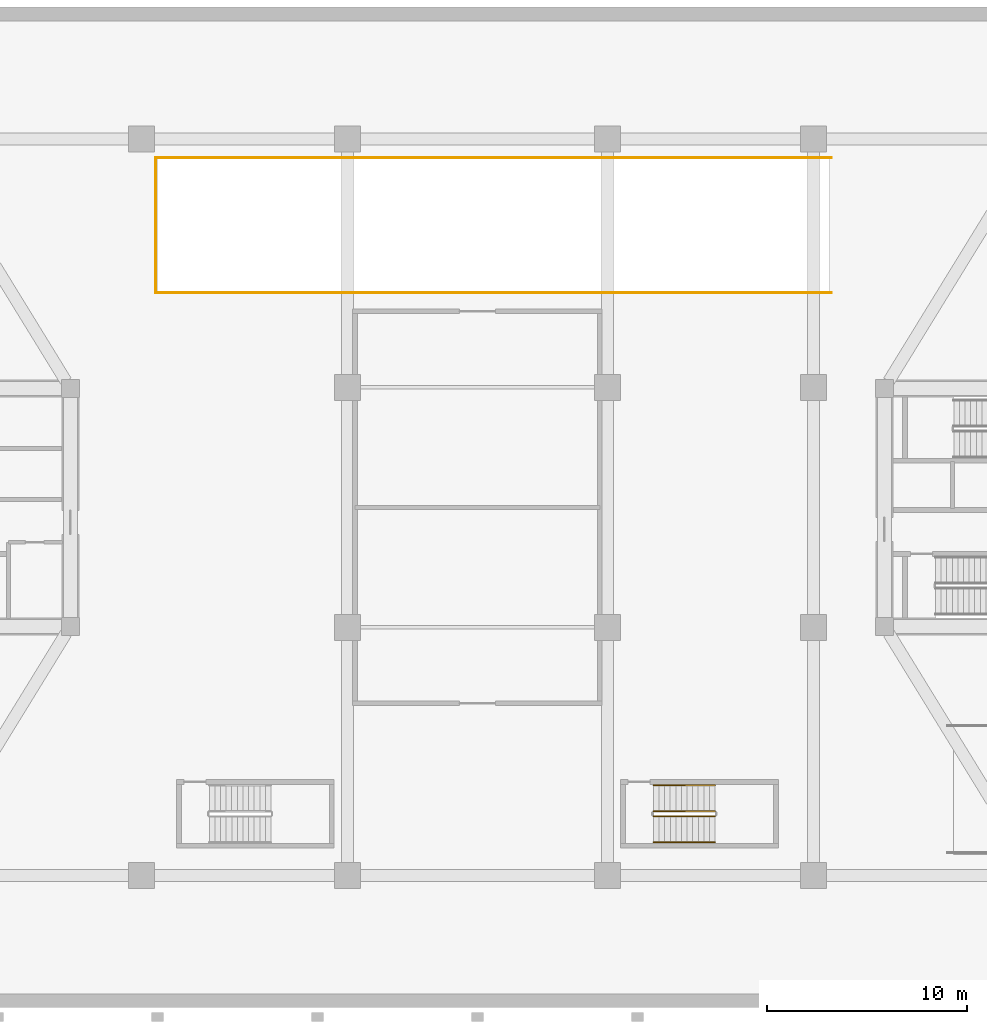
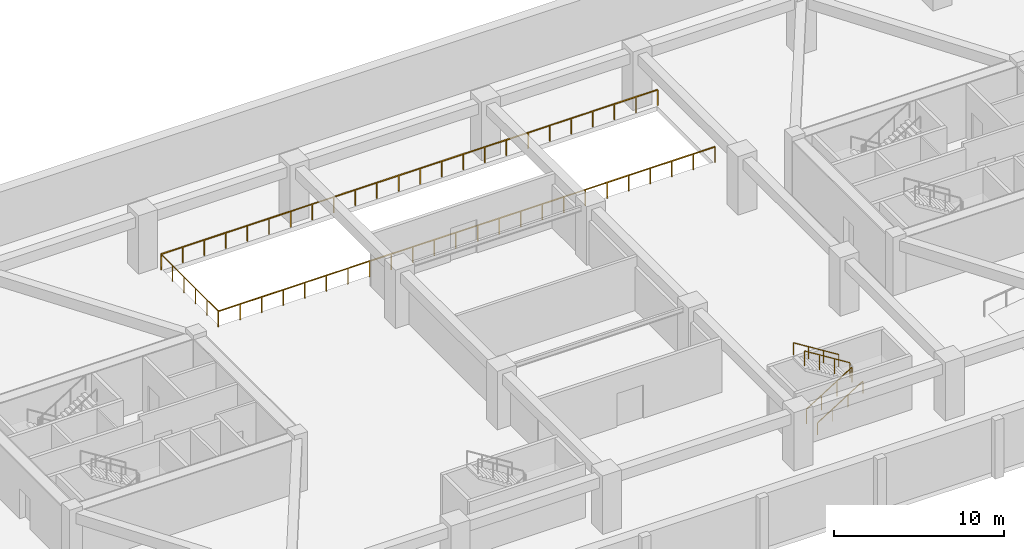
# One storey, part 11 of 14: 7 railings.
"""IFC4 building model written with IfcOpenShell, lengths in metres."""

from ifc_helpers import new_model, si_unit, direction, frame, origin, origin_2d, place, context, subcontext, project, spatial, rectangle, extrude, material, type_object, element, save


model = new_model("IFC4")

# Units and contexts
model_context = context("Model", 3, precision=1e-05, world=origin(), true_north=direction((0.0, 1.0)))
body_context = subcontext(model_context, "Body", "Model", "MODEL_VIEW")
ifc_project = project(units=[si_unit("LENGTHUNIT", "METRE"), si_unit("AREAUNIT", "SQUARE_METRE"), si_unit("VOLUMEUNIT", "CUBIC_METRE"), si_unit("PLANEANGLEUNIT", "RADIAN"), si_unit("MASSUNIT", "GRAM", prefix="KILO")], contexts=[model_context])

# Site, building, storey
site_placement = place(None, origin())
site = spatial("IfcSite", under=ifc_project, at=site_placement, CompositionType="ELEMENT")
building_placement = place(site_placement, origin())
building = spatial("IfcBuilding", under=site, at=building_placement, Name="Norrkilde Senior Care Towers", CompositionType="ELEMENT")
storey_placement = place(building_placement, frame((0.0, 0.0, -4.199951171875)))
storey = spatial("IfcBuildingStorey", under=building, at=storey_placement, Name="B1", CompositionType="ELEMENT", Elevation=-4.199951171875)

# Railings
ifc_material_1 = material(Name="Stainless Steel", Category="steel")
railing_type_1 = type_object("IfcRailingType", Name="Stair and Terrace Guardrail 1100", PredefinedType="GUARDRAIL", material=ifc_material_1)
railing_1_placement = place(storey_placement, frame((-16.080078125, 17.47998046875, 0.0)))
element("IfcRailing", 1, at=railing_1_placement, inside=storey, type_object=railing_type_1, Name="B1 Ramp Well Guard 1-N", PredefinedType="GUARDRAIL", context=body_context, shape_type="SweptSolid", body=[
    extrude(rectangle(XDim=0.048095703125, YDim=0.048095703125, at=origin_2d()), frame((0.0, 0.0, 1.1259765625), z_axis=(1.0, 0.0, 0.0), x_axis=(0.0, 1.0, 0.0)), (0.0, 0.0, 1.0), 33.760009765625),
    extrude(rectangle(XDim=0.0419921875, YDim=0.0419921875, at=origin_2d()), origin(), (0.0, 0.0, 1.0), 1.099853515625),
    extrude(rectangle(XDim=0.0419921875, YDim=0.0419921875, at=origin_2d()), frame((1.4677734375, 0.0, 0.0)), (0.0, 0.0, 1.0), 1.099853515625),
    extrude(rectangle(XDim=0.0419921875, YDim=0.0419921875, at=origin_2d()), frame((2.935546875, 0.0, 0.0)), (0.0, 0.0, 1.0), 1.099853515625),
    extrude(rectangle(XDim=0.0419921875, YDim=0.0419921875, at=origin_2d()), frame((4.403564453125, 0.0, 0.0)), (0.0, 0.0, 1.0), 1.099853515625),
    extrude(rectangle(XDim=0.0419921875, YDim=0.0419921875, at=origin_2d()), frame((5.871337890625, 0.0, 0.0)), (0.0, 0.0, 1.0), 1.099853515625),
    extrude(rectangle(XDim=0.0419921875, YDim=0.0419921875, at=origin_2d()), frame((7.339111328125, 0.0, 0.0)), (0.0, 0.0, 1.0), 1.099853515625),
    extrude(rectangle(XDim=0.0419921875, YDim=0.0419921875, at=origin_2d()), frame((8.806884765625, 0.0, 0.0)), (0.0, 0.0, 1.0), 1.099853515625),
    extrude(rectangle(XDim=0.0419921875, YDim=0.0419921875, at=origin_2d()), frame((10.27490234375, 0.0, 0.0)), (0.0, 0.0, 1.0), 1.099853515625),
    extrude(rectangle(XDim=0.0419921875, YDim=0.0419921875, at=origin_2d()), frame((11.74267578125, 0.0, 0.0)), (0.0, 0.0, 1.0), 1.099853515625),
    extrude(rectangle(XDim=0.0419921875, YDim=0.0419921875, at=origin_2d()), frame((13.21044921875, 0.0, 0.0)), (0.0, 0.0, 1.0), 1.099853515625),
    extrude(rectangle(XDim=0.0419921875, YDim=0.0419921875, at=origin_2d()), frame((14.67822265625, 0.0, 0.0)), (0.0, 0.0, 1.0), 1.099853515625),
    extrude(rectangle(XDim=0.0419921875, YDim=0.0419921875, at=origin_2d()), frame((16.14599609375, 0.0, 0.0)), (0.0, 0.0, 1.0), 1.099853515625),
    extrude(rectangle(XDim=0.0419921875, YDim=0.0419921875, at=origin_2d()), frame((17.614013671875, 0.0, 0.0)), (0.0, 0.0, 1.0), 1.099853515625),
    extrude(rectangle(XDim=0.0419921875, YDim=0.0419921875, at=origin_2d()), frame((19.081787109375, 0.0, 0.0)), (0.0, 0.0, 1.0), 1.099853515625),
    extrude(rectangle(XDim=0.0419921875, YDim=0.0419921875, at=origin_2d()), frame((20.549560546875, 0.0, 0.0)), (0.0, 0.0, 1.0), 1.099853515625),
    extrude(rectangle(XDim=0.0419921875, YDim=0.0419921875, at=origin_2d()), frame((22.017333984375, 0.0, 0.0)), (0.0, 0.0, 1.0), 1.099853515625),
    extrude(rectangle(XDim=0.0419921875, YDim=0.0419921875, at=origin_2d()), frame((23.485107421875, 0.0, 0.0)), (0.0, 0.0, 1.0), 1.099853515625),
    extrude(rectangle(XDim=0.0419921875, YDim=0.0419921875, at=origin_2d()), frame((24.953125, 0.0, 0.0)), (0.0, 0.0, 1.0), 1.099853515625),
    extrude(rectangle(XDim=0.0419921875, YDim=0.0419921875, at=origin_2d()), frame((26.4208984375, 0.0, 0.0)), (0.0, 0.0, 1.0), 1.099853515625),
    extrude(rectangle(XDim=0.0419921875, YDim=0.0419921875, at=origin_2d()), frame((27.888671875, 0.0, 0.0)), (0.0, 0.0, 1.0), 1.099853515625),
    extrude(rectangle(XDim=0.0419921875, YDim=0.0419921875, at=origin_2d()), frame((29.3564453125, 0.0, 0.0)), (0.0, 0.0, 1.0), 1.099853515625),
    extrude(rectangle(XDim=0.0419921875, YDim=0.0419921875, at=origin_2d()), frame((30.824462890625, 0.0, 0.0)), (0.0, 0.0, 1.0), 1.099853515625),
    extrude(rectangle(XDim=0.0419921875, YDim=0.0419921875, at=origin_2d()), frame((32.292236328125, 0.0, 0.0)), (0.0, 0.0, 1.0), 1.099853515625),
    extrude(rectangle(XDim=0.0419921875, YDim=0.0419921875, at=origin_2d()), frame((33.760009765625, 0.0, 0.0)), (0.0, 0.0, 1.0), 1.099853515625),
])
railing_2_placement = place(storey_placement, frame((-16.080078125, 10.719970703125, 0.0)))
element("IfcRailing", 2, at=railing_2_placement, inside=storey, type_object=railing_type_1, Name="B1 Ramp Well Guard 1-S", PredefinedType="GUARDRAIL", context=body_context, shape_type="SweptSolid", body=[
    extrude(rectangle(XDim=0.048095703125, YDim=0.048095703125, at=origin_2d()), frame((0.0, 0.0, 1.1259765625), z_axis=(1.0, 0.0, 0.0), x_axis=(0.0, 1.0, 0.0)), (0.0, 0.0, 1.0), 33.760009765625),
    extrude(rectangle(XDim=0.0419921875, YDim=0.0419921875, at=origin_2d()), origin(), (0.0, 0.0, 1.0), 1.099853515625),
    extrude(rectangle(XDim=0.0419921875, YDim=0.0419921875, at=origin_2d()), frame((1.4677734375, 0.0, 0.0)), (0.0, 0.0, 1.0), 1.099853515625),
    extrude(rectangle(XDim=0.0419921875, YDim=0.0419921875, at=origin_2d()), frame((2.935546875, 0.0, 0.0)), (0.0, 0.0, 1.0), 1.099853515625),
    extrude(rectangle(XDim=0.0419921875, YDim=0.0419921875, at=origin_2d()), frame((4.403564453125, 0.0, 0.0)), (0.0, 0.0, 1.0), 1.099853515625),
    extrude(rectangle(XDim=0.0419921875, YDim=0.0419921875, at=origin_2d()), frame((5.871337890625, 0.0, 0.0)), (0.0, 0.0, 1.0), 1.099853515625),
    extrude(rectangle(XDim=0.0419921875, YDim=0.0419921875, at=origin_2d()), frame((7.339111328125, 0.0, 0.0)), (0.0, 0.0, 1.0), 1.099853515625),
    extrude(rectangle(XDim=0.0419921875, YDim=0.0419921875, at=origin_2d()), frame((8.806884765625, 0.0, 0.0)), (0.0, 0.0, 1.0), 1.099853515625),
    extrude(rectangle(XDim=0.0419921875, YDim=0.0419921875, at=origin_2d()), frame((10.27490234375, 0.0, 0.0)), (0.0, 0.0, 1.0), 1.099853515625),
    extrude(rectangle(XDim=0.0419921875, YDim=0.0419921875, at=origin_2d()), frame((11.74267578125, 0.0, 0.0)), (0.0, 0.0, 1.0), 1.099853515625),
    extrude(rectangle(XDim=0.0419921875, YDim=0.0419921875, at=origin_2d()), frame((13.21044921875, 0.0, 0.0)), (0.0, 0.0, 1.0), 1.099853515625),
    extrude(rectangle(XDim=0.0419921875, YDim=0.0419921875, at=origin_2d()), frame((14.67822265625, 0.0, 0.0)), (0.0, 0.0, 1.0), 1.099853515625),
    extrude(rectangle(XDim=0.0419921875, YDim=0.0419921875, at=origin_2d()), frame((16.14599609375, 0.0, 0.0)), (0.0, 0.0, 1.0), 1.099853515625),
    extrude(rectangle(XDim=0.0419921875, YDim=0.0419921875, at=origin_2d()), frame((17.614013671875, 0.0, 0.0)), (0.0, 0.0, 1.0), 1.099853515625),
    extrude(rectangle(XDim=0.0419921875, YDim=0.0419921875, at=origin_2d()), frame((19.081787109375, 0.0, 0.0)), (0.0, 0.0, 1.0), 1.099853515625),
    extrude(rectangle(XDim=0.0419921875, YDim=0.0419921875, at=origin_2d()), frame((20.549560546875, 0.0, 0.0)), (0.0, 0.0, 1.0), 1.099853515625),
    extrude(rectangle(XDim=0.0419921875, YDim=0.0419921875, at=origin_2d()), frame((22.017333984375, 0.0, 0.0)), (0.0, 0.0, 1.0), 1.099853515625),
    extrude(rectangle(XDim=0.0419921875, YDim=0.0419921875, at=origin_2d()), frame((23.485107421875, 0.0, 0.0)), (0.0, 0.0, 1.0), 1.099853515625),
    extrude(rectangle(XDim=0.0419921875, YDim=0.0419921875, at=origin_2d()), frame((24.953125, 0.0, 0.0)), (0.0, 0.0, 1.0), 1.099853515625),
    extrude(rectangle(XDim=0.0419921875, YDim=0.0419921875, at=origin_2d()), frame((26.4208984375, 0.0, 0.0)), (0.0, 0.0, 1.0), 1.099853515625),
    extrude(rectangle(XDim=0.0419921875, YDim=0.0419921875, at=origin_2d()), frame((27.888671875, 0.0, 0.0)), (0.0, 0.0, 1.0), 1.099853515625),
    extrude(rectangle(XDim=0.0419921875, YDim=0.0419921875, at=origin_2d()), frame((29.3564453125, 0.0, 0.0)), (0.0, 0.0, 1.0), 1.099853515625),
    extrude(rectangle(XDim=0.0419921875, YDim=0.0419921875, at=origin_2d()), frame((30.824462890625, 0.0, 0.0)), (0.0, 0.0, 1.0), 1.099853515625),
    extrude(rectangle(XDim=0.0419921875, YDim=0.0419921875, at=origin_2d()), frame((32.292236328125, 0.0, 0.0)), (0.0, 0.0, 1.0), 1.099853515625),
    extrude(rectangle(XDim=0.0419921875, YDim=0.0419921875, at=origin_2d()), frame((33.760009765625, 0.0, 0.0)), (0.0, 0.0, 1.0), 1.099853515625),
])
railing_3_placement = place(storey_placement, frame((-16.080078125, 10.719970703125, 0.0)))
element("IfcRailing", 3, at=railing_3_placement, inside=storey, type_object=railing_type_1, Name="B1 Ramp Well Guard 1-W", PredefinedType="GUARDRAIL", context=body_context, shape_type="SweptSolid", body=[
    extrude(rectangle(XDim=0.048095703125, YDim=0.048095703125, at=origin_2d()), frame((0.0, 0.0, 1.1259765625), z_axis=(0.0, 1.0, 0.0), x_axis=(-1.0, 0.0, 0.0)), (0.0, 0.0, 1.0), 6.760009765625),
    extrude(rectangle(XDim=0.0419921875, YDim=0.0419921875, at=origin_2d()), origin(), (0.0, 0.0, 1.0), 1.099853515625),
    extrude(rectangle(XDim=0.0419921875, YDim=0.0419921875, at=origin_2d()), frame((0.0, 1.35205078125, 0.0)), (0.0, 0.0, 1.0), 1.099853515625),
    extrude(rectangle(XDim=0.0419921875, YDim=0.0419921875, at=origin_2d()), frame((0.0, 2.7041015625, 0.0)), (0.0, 0.0, 1.0), 1.099853515625),
    extrude(rectangle(XDim=0.0419921875, YDim=0.0419921875, at=origin_2d()), frame((0.0, 4.055908203125, 0.0)), (0.0, 0.0, 1.0), 1.099853515625),
    extrude(rectangle(XDim=0.0419921875, YDim=0.0419921875, at=origin_2d()), frame((0.0, 5.407958984375, 0.0)), (0.0, 0.0, 1.0), 1.099853515625),
    extrude(rectangle(XDim=0.0419921875, YDim=0.0419921875, at=origin_2d()), frame((0.0, 6.760009765625, 0.0)), (0.0, 0.0, 1.0), 1.099853515625),
])
railing_4_placement = place(storey_placement, frame((8.800048828125, -15.449951171875, 0.175048828125)))
element("IfcRailing", 4, at=railing_4_placement, inside=storey, type_object=railing_type_1, Name="B1 ST-P2 stair guard 1", PredefinedType="GUARDRAIL", context=body_context, shape_type="SweptSolid", body=[
    extrude(rectangle(XDim=0.048095703125, YDim=0.048095703125, at=origin_2d()), frame((0.0, 0.0, 1.076171875), z_axis=(0.848009633417, 0.0, 0.529980812513), x_axis=(0.0, 1.0, 0.0)), (0.0, 0.0, 1.0), 3.6318359375),
    extrude(rectangle(XDim=0.0419921875, YDim=0.0419921875, at=origin_2d()), origin(), (0.0, 0.0, 1.0), 1.050048828125),
    extrude(rectangle(XDim=0.0419921875, YDim=0.0419921875, at=origin_2d()), frame((1.026611328125, 0.0, 0.6416015625)), (0.0, 0.0, 1.0), 1.050048828125),
    extrude(rectangle(XDim=0.0419921875, YDim=0.0419921875, at=origin_2d()), frame((2.05322265625, 0.0, 1.283203125)), (0.0, 0.0, 1.0), 1.050048828125),
    extrude(rectangle(XDim=0.0419921875, YDim=0.0419921875, at=origin_2d()), frame((3.079833984375, 0.0, 1.9248046875)), (0.0, 0.0, 1.0), 1.050048828125),
])
railing_5_placement = place(storey_placement, frame((11.8798828125, -15.199951171875, 2.27490234375)))
element("IfcRailing", 5, at=railing_5_placement, inside=storey, type_object=railing_type_1, Name="B1 ST-P2 stair guard 3", PredefinedType="GUARDRAIL", context=body_context, shape_type="SweptSolid", body=[
    extrude(rectangle(XDim=0.048095703125, YDim=0.048095703125, at=origin_2d()), frame((0.0, 0.0, 1.076171875), z_axis=(-0.847979421464, 0.0, 0.530029150871), x_axis=(0.0, -1.0, 0.0)), (0.0, 0.0, 1.0), 3.632080078125),
    extrude(rectangle(XDim=0.0419921875, YDim=0.0419921875, at=origin_2d()), origin(), (0.0, 0.0, 1.0), 1.050048828125),
    extrude(rectangle(XDim=0.0419921875, YDim=0.0419921875, at=origin_2d()), frame((-1.026611328125, 0.0, 0.6416015625)), (0.0, 0.0, 1.0), 1.050048828125),
    extrude(rectangle(XDim=0.0419921875, YDim=0.0419921875, at=origin_2d()), frame((-2.05322265625, 0.0, 1.283447265625)), (0.0, 0.0, 1.0), 1.050048828125),
    extrude(rectangle(XDim=0.0419921875, YDim=0.0419921875, at=origin_2d()), frame((-3.079833984375, 0.0, 1.925048828125)), (0.0, 0.0, 1.0), 1.050048828125),
])
ifc_material_2 = material(Name="Nordic Ash Timber", Category="wood")
railing_type_2 = type_object("IfcRailingType", Name="Wall and Stair Handrail 900", PredefinedType="HANDRAIL", material=ifc_material_2)
railing_6_placement = place(storey_placement, frame((8.800048828125, -16.75, 0.175048828125)))
element("IfcRailing", 6, at=railing_6_placement, inside=storey, type_object=railing_type_2, Name="B1 ST-P2 stair handrail 1", PredefinedType="HANDRAIL", context=body_context, shape_type="SweptSolid", body=[
    extrude(rectangle(XDim=0.048095703125, YDim=0.048095703125, at=origin_2d()), frame((0.0, 0.0, 0.8759765625), z_axis=(0.848009633417, 0.0, 0.529980812513), x_axis=(0.0, 1.0, 0.0)), (0.0, 0.0, 1.0), 3.6318359375),
    extrude(rectangle(XDim=0.0419921875, YDim=0.0419921875, at=origin_2d()), origin(), (0.0, 0.0, 1.0), 0.849853515625),
    extrude(rectangle(XDim=0.0419921875, YDim=0.0419921875, at=origin_2d()), frame((1.026611328125, 0.0, 0.6416015625)), (0.0, 0.0, 1.0), 0.849853515625),
    extrude(rectangle(XDim=0.0419921875, YDim=0.0419921875, at=origin_2d()), frame((2.05322265625, 0.0, 1.283203125)), (0.0, 0.0, 1.0), 0.849853515625),
    extrude(rectangle(XDim=0.0419921875, YDim=0.0419921875, at=origin_2d()), frame((3.079833984375, 0.0, 1.9248046875)), (0.0, 0.0, 1.0), 0.849853515625),
])
railing_7_placement = place(storey_placement, frame((11.8798828125, -13.89990234375, 2.27490234375)))
element("IfcRailing", 7, at=railing_7_placement, inside=storey, type_object=railing_type_2, Name="B1 ST-P2 stair handrail 2", PredefinedType="HANDRAIL", context=body_context, shape_type="SweptSolid", body=[
    extrude(rectangle(XDim=0.048095703125, YDim=0.048095703125, at=origin_2d()), frame((0.0, 0.0, 0.8759765625), z_axis=(-0.847979421464, 0.0, 0.530029150871), x_axis=(0.0, -1.0, 0.0)), (0.0, 0.0, 1.0), 3.632080078125),
    extrude(rectangle(XDim=0.0419921875, YDim=0.0419921875, at=origin_2d()), origin(), (0.0, 0.0, 1.0), 0.849853515625),
    extrude(rectangle(XDim=0.0419921875, YDim=0.0419921875, at=origin_2d()), frame((-1.026611328125, 0.0, 0.6416015625)), (0.0, 0.0, 1.0), 0.849853515625),
    extrude(rectangle(XDim=0.0419921875, YDim=0.0419921875, at=origin_2d()), frame((-2.05322265625, 0.0, 1.283447265625)), (0.0, 0.0, 1.0), 0.849853515625),
    extrude(rectangle(XDim=0.0419921875, YDim=0.0419921875, at=origin_2d()), frame((-3.079833984375, 0.0, 1.925048828125)), (0.0, 0.0, 1.0), 0.849853515625),
])

save(model, "model.ifc")
